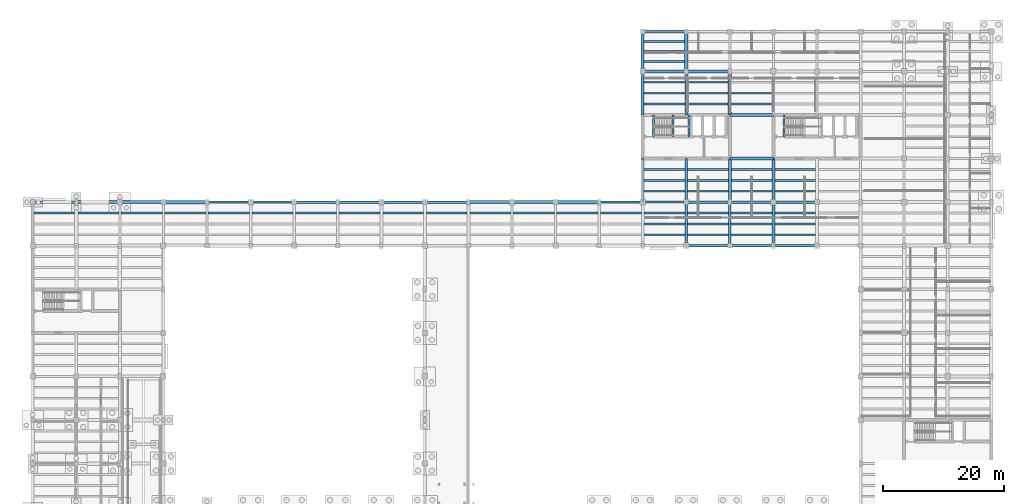
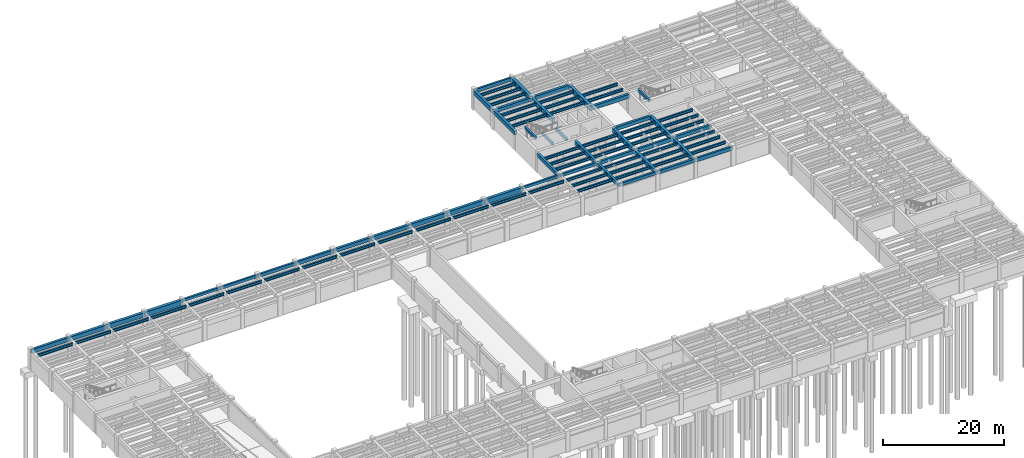
# One storey, part 11 of 33: 91 beams.
"""IFC4 building model written with IfcOpenShell, lengths in metres."""

from ifc_helpers import new_model, si_unit, direction, frame, origin, origin_2d, place, context, subcontext, project, spatial, rectangle, i_section, extrude, material, material_profile, profile_set, type_object, element, save


model = new_model("IFC4")

# Units and contexts
model_context = context("Model", 3, precision=1e-05, world=origin(), true_north=direction((0.0, 1.0)))
body_context = subcontext(model_context, "Body", "Model", "MODEL_VIEW")
ifc_project = project(units=[si_unit("LENGTHUNIT", "METRE"), si_unit("AREAUNIT", "SQUARE_METRE"), si_unit("VOLUMEUNIT", "CUBIC_METRE"), si_unit("PLANEANGLEUNIT", "RADIAN"), si_unit("MASSUNIT", "GRAM", prefix="KILO")], contexts=[model_context])

# Site, building, storey
site_placement = place(None, origin())
site = spatial("IfcSite", under=ifc_project, at=site_placement, CompositionType="ELEMENT")
building_placement = place(site_placement, origin())
building = spatial("IfcBuilding", under=site, at=building_placement, Name="Mithqara Police Headquarters", CompositionType="ELEMENT")
storey_placement = place(building_placement, frame((0.0, 0.0, -4.199951171875)))
storey = spatial("IfcBuildingStorey", under=building, at=storey_placement, Name="B1", CompositionType="ELEMENT", Elevation=-4.199951171875)

# Beams
ifc_material_1 = material(Name="Steel S355JR", Category="steel")
ifc_material_profile_1 = material_profile(ifc_material_1, i_section(OverallWidth=0.300048828125, OverallDepth=0.550048828125, WebThickness=0.014892578125, FlangeThickness=0.029052734375, FilletRadius=0.027099609375, at=origin_2d()), Name="HEB 550")
ifc_profile_set_1 = profile_set([ifc_material_profile_1], Name="Steel S355JR")
beam_type_1 = type_object("IfcBeamType", Name="BEAM HEB550", PredefinedType="BEAM", material=ifc_profile_set_1)
beam_1_placement = place(storey_placement, frame((8.050048828125, 84.0, 3.60498046875), z_axis=(1.0, 0.0, 0.0), x_axis=(0.0, 1.0, 0.0)))
element("IfcBeam", 1, at=beam_1_placement, inside=storey, type_object=beam_type_1, Name="B1 Composite Steel Joist 2-3/M.3", PredefinedType="BEAM", context=body_context, shape_type="SweptSolid", body=[
    extrude(i_section(OverallWidth=0.300048828125, OverallDepth=0.550048828125, WebThickness=0.014892578125, FlangeThickness=0.029052734375, FilletRadius=0.027099609375, at=origin_2d()), origin(), (0.0, 0.0, 1.0), 6.675048828125),
])
beam_2_placement = place(storey_placement, frame((15.27490234375, 84.0, 3.60498046875), z_axis=(1.0, 0.0, 0.0), x_axis=(0.0, 1.0, 0.0)))
element("IfcBeam", 2, at=beam_2_placement, inside=storey, type_object=beam_type_1, Name="B1 Composite Steel Joist 3-4/M.3", PredefinedType="BEAM", context=body_context, shape_type="SweptSolid", body=[
    extrude(i_section(OverallWidth=0.300048828125, OverallDepth=0.550048828125, WebThickness=0.014892578125, FlangeThickness=0.029052734375, FilletRadius=0.027099609375, at=origin_2d()), origin(), (0.0, 0.0, 1.0), 6.75),
])
beam_3_placement = place(storey_placement, frame((22.375, 84.0, 3.60498046875), z_axis=(1.0, 0.0, 0.0), x_axis=(0.0, 1.0, 0.0)))
element("IfcBeam", 3, at=beam_3_placement, inside=storey, type_object=beam_type_1, Name="B1 Composite Steel Joist 4-5/M.3", PredefinedType="BEAM", context=body_context, shape_type="SweptSolid", body=[
    extrude(i_section(OverallWidth=0.300048828125, OverallDepth=0.550048828125, WebThickness=0.014892578125, FlangeThickness=0.029052734375, FilletRadius=0.027099609375, at=origin_2d()), origin(), (0.0, 0.0, 1.0), 6.85009765625),
])
beam_4_placement = place(storey_placement, frame((29.574951171875, 84.0, 3.60498046875), z_axis=(1.0, 0.0, 0.0), x_axis=(0.0, 1.0, 0.0)))
element("IfcBeam", 4, at=beam_4_placement, inside=storey, type_object=beam_type_1, Name="B1 Composite Steel Joist 5-6/M.3", PredefinedType="BEAM", context=body_context, shape_type="SweptSolid", body=[
    extrude(i_section(OverallWidth=0.300048828125, OverallDepth=0.550048828125, WebThickness=0.014892578125, FlangeThickness=0.029052734375, FilletRadius=0.027099609375, at=origin_2d()), origin(), (0.0, 0.0, 1.0), 6.824951171875),
])
beam_5_placement = place(storey_placement, frame((36.800048828125, 84.0, 3.60498046875), z_axis=(1.0, 0.0, 0.0), x_axis=(0.0, 1.0, 0.0)))
element("IfcBeam", 5, at=beam_5_placement, inside=storey, type_object=beam_type_1, Name="B1 Composite Steel Joist 6-7/M.3", PredefinedType="BEAM", context=body_context, shape_type="SweptSolid", body=[
    extrude(i_section(OverallWidth=0.300048828125, OverallDepth=0.550048828125, WebThickness=0.014892578125, FlangeThickness=0.029052734375, FilletRadius=0.027099609375, at=origin_2d()), origin(), (0.0, 0.0, 1.0), 6.800048828125),
])
beam_6_placement = place(storey_placement, frame((44.0, 84.0, 3.60498046875), z_axis=(1.0, 0.0, 0.0), x_axis=(0.0, 1.0, 0.0)))
element("IfcBeam", 6, at=beam_6_placement, inside=storey, type_object=beam_type_1, Name="B1 Composite Steel Joist 7-8/M.3", PredefinedType="BEAM", context=body_context, shape_type="SweptSolid", body=[
    extrude(i_section(OverallWidth=0.300048828125, OverallDepth=0.550048828125, WebThickness=0.014892578125, FlangeThickness=0.029052734375, FilletRadius=0.027099609375, at=origin_2d()), origin(), (0.0, 0.0, 1.0), 6.77490234375),
])
beam_7_placement = place(storey_placement, frame((51.22509765625, 84.0, 3.60498046875), z_axis=(1.0, 0.0, 0.0), x_axis=(0.0, 1.0, 0.0)))
element("IfcBeam", 7, at=beam_7_placement, inside=storey, type_object=beam_type_1, Name="B1 Composite Steel Joist 8-9/M.3", PredefinedType="BEAM", context=body_context, shape_type="SweptSolid", body=[
    extrude(i_section(OverallWidth=0.300048828125, OverallDepth=0.550048828125, WebThickness=0.014892578125, FlangeThickness=0.029052734375, FilletRadius=0.027099609375, at=origin_2d()), origin(), (0.0, 0.0, 1.0), 6.75),
])
beam_8_placement = place(storey_placement, frame((58.425048828125, 84.0, 3.60498046875), z_axis=(1.0, 0.0, 0.0), x_axis=(0.0, 1.0, 0.0)))
element("IfcBeam", 8, at=beam_8_placement, inside=storey, type_object=beam_type_1, Name="B1 Composite Steel Joist 9-10/M.3", PredefinedType="BEAM", context=body_context, shape_type="SweptSolid", body=[
    extrude(i_section(OverallWidth=0.300048828125, OverallDepth=0.550048828125, WebThickness=0.014892578125, FlangeThickness=0.029052734375, FilletRadius=0.027099609375, at=origin_2d()), origin(), (0.0, 0.0, 1.0), 6.724853515625),
])
beam_9_placement = place(storey_placement, frame((65.64990234375, 84.0, 3.60498046875), z_axis=(1.0, 0.0, 0.0), x_axis=(0.0, 1.0, 0.0)))
element("IfcBeam", 9, at=beam_9_placement, inside=storey, type_object=beam_type_1, Name="B1 Composite Steel Joist 10-11/M.3", PredefinedType="BEAM", context=body_context, shape_type="SweptSolid", body=[
    extrude(i_section(OverallWidth=0.300048828125, OverallDepth=0.550048828125, WebThickness=0.014892578125, FlangeThickness=0.029052734375, FilletRadius=0.027099609375, at=origin_2d()), origin(), (0.0, 0.0, 1.0), 6.7001953125),
])
beam_10_placement = place(storey_placement, frame((72.85009765625, 84.0, 3.60498046875), z_axis=(1.0, 0.0, 0.0), x_axis=(0.0, 1.0, 0.0)))
element("IfcBeam", 10, at=beam_10_placement, inside=storey, type_object=beam_type_1, Name="B1 Composite Steel Joist 11-12/M.3", PredefinedType="BEAM", context=body_context, shape_type="SweptSolid", body=[
    extrude(i_section(OverallWidth=0.300048828125, OverallDepth=0.550048828125, WebThickness=0.014892578125, FlangeThickness=0.029052734375, FilletRadius=0.027099609375, at=origin_2d()), origin(), (0.0, 0.0, 1.0), 6.6748046875),
])
beam_11_placement = place(storey_placement, frame((80.074951171875, 84.0, 3.60498046875), z_axis=(1.0, 0.0, 0.0), x_axis=(0.0, 1.0, 0.0)))
element("IfcBeam", 11, at=beam_11_placement, inside=storey, type_object=beam_type_1, Name="B1 Composite Steel Joist 12-13/M.3", PredefinedType="BEAM", context=body_context, shape_type="SweptSolid", body=[
    extrude(i_section(OverallWidth=0.300048828125, OverallDepth=0.550048828125, WebThickness=0.014892578125, FlangeThickness=0.029052734375, FilletRadius=0.027099609375, at=origin_2d()), origin(), (0.0, 0.0, 1.0), 6.75),
])
beam_12_placement = place(storey_placement, frame((87.175048828125, 84.0, 3.60498046875), z_axis=(1.0, 0.0, 0.0), x_axis=(0.0, 1.0, 0.0)))
element("IfcBeam", 12, at=beam_12_placement, inside=storey, type_object=beam_type_1, Name="B1 Composite Steel Joist 13-14/M.3", PredefinedType="BEAM", context=body_context, shape_type="SweptSolid", body=[
    extrude(i_section(OverallWidth=0.300048828125, OverallDepth=0.550048828125, WebThickness=0.014892578125, FlangeThickness=0.029052734375, FilletRadius=0.027099609375, at=origin_2d()), origin(), (0.0, 0.0, 1.0), 6.849853515625),
])
beam_13_placement = place(storey_placement, frame((94.375, 84.0, 3.60498046875), z_axis=(1.0, 0.0, 0.0), x_axis=(0.0, 1.0, 0.0)))
element("IfcBeam", 13, at=beam_13_placement, inside=storey, type_object=beam_type_1, Name="B1 Composite Steel Joist 14-15/M.3", PredefinedType="BEAM", context=body_context, shape_type="SweptSolid", body=[
    extrude(i_section(OverallWidth=0.300048828125, OverallDepth=0.550048828125, WebThickness=0.014892578125, FlangeThickness=0.029052734375, FilletRadius=0.027099609375, at=origin_2d()), origin(), (0.0, 0.0, 1.0), 6.824951171875),
])
beam_14_placement = place(storey_placement, frame((101.60009765625, 84.0, 3.60498046875), z_axis=(1.0, 0.0, 0.0), x_axis=(0.0, 1.0, 0.0)))
element("IfcBeam", 14, at=beam_14_placement, inside=storey, type_object=beam_type_1, Name="B1 Composite Steel Joist 15-16/M.3", PredefinedType="BEAM", context=body_context, shape_type="SweptSolid", body=[
    extrude(i_section(OverallWidth=0.300048828125, OverallDepth=0.550048828125, WebThickness=0.014892578125, FlangeThickness=0.029052734375, FilletRadius=0.027099609375, at=origin_2d()), origin(), (0.0, 0.0, 1.0), 6.7998046875),
])
for number, where, z_axis, x_axis, name in (
    (15, (108.800048828125, 80.39990234375, 3.60498046875), (1.0, 0.0, 0.0), (0.0, 1.0, 0.0), "B1 Composite Steel Joist 16-17/M.1"),
    (16, (108.800048828125, 82.199951171875, 3.60498046875), (1.0, 0.0, 0.0), (0.0, 1.0, 0.0), "B1 Composite Steel Joist 16-17/M.2"),
    (17, (108.800048828125, 84.0, 3.60498046875), (1.0, 0.0, 0.0), (0.0, 1.0, 0.0), "B1 Composite Steel Joist 16-17/M.3"),
):
    element("IfcBeam", number, at=place(storey_placement, frame(where, z_axis=z_axis, x_axis=x_axis)), inside=storey, type_object=beam_type_1, Name=name, PredefinedType="BEAM", context=body_context, shape_type="SweptSolid", body=[
        extrude(i_section(OverallWidth=0.300048828125, OverallDepth=0.550048828125, WebThickness=0.014892578125, FlangeThickness=0.029052734375, FilletRadius=0.027099609375, at=origin_2d()), origin(), (0.0, 0.0, 1.0), 6.77490234375),
    ])
for number, where, z_axis, x_axis, name in (
    (18, (108.824951171875, 87.60009765625, 3.60498046875), (1.0, 0.0, 0.0), (0.0, 1.0, 0.0), "B1 Composite Steel Joist 16-17/N.1"),
    (19, (108.824951171875, 89.39990234375, 3.60498046875), (1.0, 0.0, 0.0), (0.0, 1.0, 0.0), "B1 Composite Steel Joist 16-17/N.2"),
    (20, (108.824951171875, 91.199951171875, 3.60498046875), (1.0, 0.0, 0.0), (0.0, 1.0, 0.0), "B1 Composite Steel Joist 16-17/N.3"),
):
    element("IfcBeam", number, at=place(storey_placement, frame(where, z_axis=z_axis, x_axis=x_axis)), inside=storey, type_object=beam_type_1, Name=name, PredefinedType="BEAM", context=body_context, shape_type="SweptSolid", body=[
        extrude(i_section(OverallWidth=0.300048828125, OverallDepth=0.550048828125, WebThickness=0.014892578125, FlangeThickness=0.029052734375, FilletRadius=0.027099609375, at=origin_2d()), origin(), (0.0, 0.0, 1.0), 6.75),
    ])
for number, where, z_axis, x_axis, name in (
    (21, (108.85009765625, 102.0, 3.60498046875), (1.0, 0.0, 0.0), (0.0, 1.0, 0.0), "B1 Composite Steel Joist 16-17/Q.1"),
    (22, (108.85009765625, 103.800048828125, 3.60498046875), (1.0, 0.0, 0.0), (0.0, 1.0, 0.0), "B1 Composite Steel Joist 16-17/Q.2"),
    (23, (108.85009765625, 105.60009765625, 3.60498046875), (1.0, 0.0, 0.0), (0.0, 1.0, 0.0), "B1 Composite Steel Joist 16-17/Q.3"),
):
    element("IfcBeam", number, at=place(storey_placement, frame(where, z_axis=z_axis, x_axis=x_axis)), inside=storey, type_object=beam_type_1, Name=name, PredefinedType="BEAM", context=body_context, shape_type="SweptSolid", body=[
        extrude(i_section(OverallWidth=0.300048828125, OverallDepth=0.550048828125, WebThickness=0.014892578125, FlangeThickness=0.029052734375, FilletRadius=0.027099609375, at=origin_2d()), origin(), (0.0, 0.0, 1.0), 6.699951171875),
    ])
for number, where, z_axis, x_axis, name in (
    (24, (108.85009765625, 109.050048828125, 3.60498046875), (1.0, 0.0, 0.0), (0.0, 1.0, 0.0), "B1 Composite Steel Joist 16-17/R.1"),
    (25, (108.85009765625, 110.699951171875, 3.60498046875), (1.0, 0.0, 0.0), (0.0, 1.0, 0.0), "B1 Composite Steel Joist 16-17/R.2"),
    (26, (108.85009765625, 112.35009765625, 3.60498046875), (1.0, 0.0, 0.0), (0.0, 1.0, 0.0), "B1 Composite Steel Joist 16-17/R.3"),
):
    element("IfcBeam", number, at=place(storey_placement, frame(where, z_axis=z_axis, x_axis=x_axis)), inside=storey, type_object=beam_type_1, Name=name, PredefinedType="BEAM", context=body_context, shape_type="SweptSolid", body=[
        extrude(i_section(OverallWidth=0.300048828125, OverallDepth=0.550048828125, WebThickness=0.014892578125, FlangeThickness=0.029052734375, FilletRadius=0.027099609375, at=origin_2d()), origin(), (0.0, 0.0, 1.0), 6.6748046875),
    ])
for number, where, z_axis, x_axis, name in (
    (27, (116.02490234375, 80.39990234375, 3.60498046875), (1.0, 0.0, 0.0), (0.0, 1.0, 0.0), "B1 Composite Steel Joist 17-18/M.1"),
    (28, (116.02490234375, 82.199951171875, 3.60498046875), (1.0, 0.0, 0.0), (0.0, 1.0, 0.0), "B1 Composite Steel Joist 17-18/M.2"),
    (29, (116.02490234375, 84.0, 3.60498046875), (1.0, 0.0, 0.0), (0.0, 1.0, 0.0), "B1 Composite Steel Joist 17-18/M.3"),
):
    element("IfcBeam", number, at=place(storey_placement, frame(where, z_axis=z_axis, x_axis=x_axis)), inside=storey, type_object=beam_type_1, Name=name, PredefinedType="BEAM", context=body_context, shape_type="SweptSolid", body=[
        extrude(i_section(OverallWidth=0.300048828125, OverallDepth=0.550048828125, WebThickness=0.014892578125, FlangeThickness=0.029052734375, FilletRadius=0.027099609375, at=origin_2d()), origin(), (0.0, 0.0, 1.0), 6.75),
    ])
for number, where, z_axis, x_axis, name in (
    (30, (116.02490234375, 87.60009765625, 3.60498046875), (1.0, 0.0, 0.0), (0.0, 1.0, 0.0), "B1 Composite Steel Joist 17-18/N.1"),
    (31, (116.02490234375, 89.39990234375, 3.60498046875), (1.0, 0.0, 0.0), (0.0, 1.0, 0.0), "B1 Composite Steel Joist 17-18/N.2"),
    (32, (116.02490234375, 91.199951171875, 3.60498046875), (1.0, 0.0, 0.0), (0.0, 1.0, 0.0), "B1 Composite Steel Joist 17-18/N.3"),
):
    element("IfcBeam", number, at=place(storey_placement, frame(where, z_axis=z_axis, x_axis=x_axis)), inside=storey, type_object=beam_type_1, Name=name, PredefinedType="BEAM", context=body_context, shape_type="SweptSolid", body=[
        extrude(i_section(OverallWidth=0.300048828125, OverallDepth=0.550048828125, WebThickness=0.014892578125, FlangeThickness=0.029052734375, FilletRadius=0.027099609375, at=origin_2d()), origin(), (0.0, 0.0, 1.0), 6.72509765625),
    ])
for number, where, z_axis, x_axis, name in (
    (33, (116.050048828125, 102.0, 3.60498046875), (1.0, 0.0, 0.0), (0.0, 1.0, 0.0), "B1 Composite Steel Joist 17-18/Q.1"),
    (34, (116.050048828125, 103.800048828125, 3.60498046875), (1.0, 0.0, 0.0), (0.0, 1.0, 0.0), "B1 Composite Steel Joist 17-18/Q.2"),
    (35, (116.050048828125, 105.60009765625, 3.60498046875), (1.0, 0.0, 0.0), (0.0, 1.0, 0.0), "B1 Composite Steel Joist 17-18/Q.3"),
):
    element("IfcBeam", number, at=place(storey_placement, frame(where, z_axis=z_axis, x_axis=x_axis)), inside=storey, type_object=beam_type_1, Name=name, PredefinedType="BEAM", context=body_context, shape_type="SweptSolid", body=[
        extrude(i_section(OverallWidth=0.300048828125, OverallDepth=0.550048828125, WebThickness=0.014892578125, FlangeThickness=0.029052734375, FilletRadius=0.027099609375, at=origin_2d()), origin(), (0.0, 0.0, 1.0), 6.675048828125),
    ])
for number, where, z_axis, x_axis, name in (
    (36, (123.22509765625, 80.39990234375, 3.60498046875), (1.0, 0.0, 0.0), (0.0, 1.0, 0.0), "B1 Composite Steel Joist 18-19/M.1"),
    (37, (123.22509765625, 82.199951171875, 3.60498046875), (1.0, 0.0, 0.0), (0.0, 1.0, 0.0), "B1 Composite Steel Joist 18-19/M.2"),
    (38, (123.22509765625, 84.0, 3.60498046875), (1.0, 0.0, 0.0), (0.0, 1.0, 0.0), "B1 Composite Steel Joist 18-19/M.3"),
):
    element("IfcBeam", number, at=place(storey_placement, frame(where, z_axis=z_axis, x_axis=x_axis)), inside=storey, type_object=beam_type_1, Name=name, PredefinedType="BEAM", context=body_context, shape_type="SweptSolid", body=[
        extrude(i_section(OverallWidth=0.300048828125, OverallDepth=0.550048828125, WebThickness=0.014892578125, FlangeThickness=0.029052734375, FilletRadius=0.027099609375, at=origin_2d()), origin(), (0.0, 0.0, 1.0), 6.724853515625),
    ])
for number, where, z_axis, x_axis, name in (
    (39, (123.25, 87.60009765625, 3.60498046875), (1.0, 0.0, 0.0), (0.0, 1.0, 0.0), "B1 Composite Steel Joist 18-19/N.1"),
    (40, (123.25, 89.39990234375, 3.60498046875), (1.0, 0.0, 0.0), (0.0, 1.0, 0.0), "B1 Composite Steel Joist 18-19/N.2"),
    (41, (123.25, 91.199951171875, 3.60498046875), (1.0, 0.0, 0.0), (0.0, 1.0, 0.0), "B1 Composite Steel Joist 18-19/N.3"),
):
    element("IfcBeam", number, at=place(storey_placement, frame(where, z_axis=z_axis, x_axis=x_axis)), inside=storey, type_object=beam_type_1, Name=name, PredefinedType="BEAM", context=body_context, shape_type="SweptSolid", body=[
        extrude(i_section(OverallWidth=0.300048828125, OverallDepth=0.550048828125, WebThickness=0.014892578125, FlangeThickness=0.029052734375, FilletRadius=0.027099609375, at=origin_2d()), origin(), (0.0, 0.0, 1.0), 6.699951171875),
    ])
for number, where, z_axis, x_axis, name in (
    (42, (123.27490234375, 102.0, 3.60498046875), (1.0, 0.0, 0.0), (0.0, 1.0, 0.0), "B1 Composite Steel Joist 18-19/Q.1"),
    (43, (123.27490234375, 103.800048828125, 3.60498046875), (1.0, 0.0, 0.0), (0.0, 1.0, 0.0), "B1 Composite Steel Joist 18-19/Q.2"),
):
    element("IfcBeam", number, at=place(storey_placement, frame(where, z_axis=z_axis, x_axis=x_axis)), inside=storey, type_object=beam_type_1, Name=name, PredefinedType="BEAM", context=body_context, shape_type="SweptSolid", body=[
        extrude(i_section(OverallWidth=0.300048828125, OverallDepth=0.550048828125, WebThickness=0.014892578125, FlangeThickness=0.029052734375, FilletRadius=0.027099609375, at=origin_2d()), origin(), (0.0, 0.0, 1.0), 6.75),
    ])
for number, where, z_axis, x_axis, name in (
    (44, (130.449951171875, 80.39990234375, 3.60498046875), (1.0, 0.0, 0.0), (0.0, 1.0, 0.0), "B1 Composite Steel Joist 19-20/M.1"),
    (45, (130.449951171875, 82.199951171875, 3.60498046875), (1.0, 0.0, 0.0), (0.0, 1.0, 0.0), "B1 Composite Steel Joist 19-20/M.2"),
    (46, (130.449951171875, 84.0, 3.60498046875), (1.0, 0.0, 0.0), (0.0, 1.0, 0.0), "B1 Composite Steel Joist 19-20/M.3"),
):
    element("IfcBeam", number, at=place(storey_placement, frame(where, z_axis=z_axis, x_axis=x_axis)), inside=storey, type_object=beam_type_1, Name=name, PredefinedType="BEAM", context=body_context, shape_type="SweptSolid", body=[
        extrude(i_section(OverallWidth=0.300048828125, OverallDepth=0.550048828125, WebThickness=0.014892578125, FlangeThickness=0.029052734375, FilletRadius=0.027099609375, at=origin_2d()), origin(), (0.0, 0.0, 1.0), 6.699951171875),
    ])
for number, where, z_axis, x_axis, name in (
    (47, (130.449951171875, 87.60009765625, 3.60498046875), (1.0, 0.0, 0.0), (0.0, 1.0, 0.0), "B1 Composite Steel Joist 19-20/N.1"),
    (48, (130.449951171875, 89.39990234375, 3.60498046875), (1.0, 0.0, 0.0), (0.0, 1.0, 0.0), "B1 Composite Steel Joist 19-20/N.2"),
    (49, (130.449951171875, 91.199951171875, 3.60498046875), (1.0, 0.0, 0.0), (0.0, 1.0, 0.0), "B1 Composite Steel Joist 19-20/N.3"),
):
    element("IfcBeam", number, at=place(storey_placement, frame(where, z_axis=z_axis, x_axis=x_axis)), inside=storey, type_object=beam_type_1, Name=name, PredefinedType="BEAM", context=body_context, shape_type="SweptSolid", body=[
        extrude(i_section(OverallWidth=0.300048828125, OverallDepth=0.550048828125, WebThickness=0.014892578125, FlangeThickness=0.029052734375, FilletRadius=0.027099609375, at=origin_2d()), origin(), (0.0, 0.0, 1.0), 6.675048828125),
    ])
ifc_material_2 = material(Name="Concrete C40/50", Category="concrete")
ifc_material_profile_2 = material_profile(ifc_material_2, rectangle(XDim=0.35009765625, YDim=0.550048828125, at=origin_2d()), Name="RC 350x550")
ifc_profile_set_2 = profile_set([ifc_material_profile_2], Name="Concrete C40/50")
beam_type_2 = type_object("IfcBeamType", Name="BEAM RC350X550", PredefinedType="BEAM", material=ifc_profile_set_2)
beam_15_placement = place(storey_placement, frame((36.60009765625, 85.800048828125, 3.60498046875), z_axis=(1.0, 0.0, 0.0), x_axis=(0.0, 1.0, 0.0)))
element("IfcBeam", 50, at=beam_15_placement, inside=storey, type_object=beam_type_2, Name="B1 Girder 6-7/N", PredefinedType="BEAM", context=body_context, shape_type="SweptSolid", body=[
    extrude(rectangle(XDim=0.35009765625, YDim=0.550048828125, at=origin_2d()), origin(), (0.0, 0.0, 1.0), 7.199951171875),
])
beam_16_placement = place(storey_placement, frame((101.39990234375, 85.800048828125, 3.60498046875), z_axis=(1.0, 0.0, 0.0), x_axis=(0.0, 1.0, 0.0)))
element("IfcBeam", 51, at=beam_16_placement, inside=storey, type_object=beam_type_2, Name="B1 Girder 15-16/N", PredefinedType="BEAM", context=body_context, shape_type="SweptSolid", body=[
    extrude(rectangle(XDim=0.35009765625, YDim=0.550048828125, at=origin_2d()), origin(), (0.0, 0.0, 1.0), 7.2001953125),
])
for number, where, z_axis, x_axis, name in (
    (52, (113.6298828125, 96.6201171875, 1.635009765625), (0.0, 1.0, 0.0), (-1.0, 0.0, 0.0), "B1 ST-01 Half-Landing Bearer LF"),
    (53, (116.25, 96.6201171875, 1.635009765625), (0.0, 1.0, 0.0), (-1.0, 0.0, 0.0), "B1 ST-01 Half-Landing Bearer LB"),
    (54, (110.376953125, 96.6201171875, 3.925048828125), (0.0, 1.0, 0.0), (-1.0, 0.0, 0.0), "B1 ST-01 Stairwell Trimmer Beam"),
    (55, (131.97705078125, 96.6201171875, 3.925048828125), (0.0, 1.0, 0.0), (-1.0, 0.0, 0.0), "B1 ST-02 Stairwell Trimmer Beam"),
):
    element("IfcBeam", number, at=place(storey_placement, frame(where, z_axis=z_axis, x_axis=x_axis)), inside=storey, type_object=beam_type_2, Name=name, PredefinedType="BEAM", context=body_context, shape_type="SweptSolid", body=[
        extrude(rectangle(XDim=0.35009765625, YDim=0.550048828125, at=origin_2d()), origin(), (0.0, 0.0, 1.0), 3.579833984375),
    ])
ifc_material_profile_3 = material_profile(ifc_material_2, rectangle(XDim=0.35009765625, YDim=0.60009765625, at=origin_2d()), Name="RC 350x600")
ifc_profile_set_3 = profile_set([ifc_material_profile_3], Name="Concrete C40/50")
beam_type_3 = type_object("IfcBeamType", Name="BEAM RC350X600", PredefinedType="BEAM", material=ifc_profile_set_3)
for number, where, z_axis, x_axis, name in (
    (56, (43.800048828125, 85.800048828125, 3.579833984375), (1.0, 0.0, 0.0), (0.0, 1.0, 0.0), "B1 Girder 7-8/N"),
    (57, (108.60009765625, 85.800048828125, 3.579833984375), (1.0, 0.0, 0.0), (0.0, 1.0, 0.0), "B1 Girder 16-17/N"),
    (58, (115.800048828125, 78.60009765625, 3.579833984375), (1.0, 0.0, 0.0), (0.0, 1.0, 0.0), "B1 Girder 17-18/M"),
):
    element("IfcBeam", number, at=place(storey_placement, frame(where, z_axis=z_axis, x_axis=x_axis)), inside=storey, type_object=beam_type_3, Name=name, PredefinedType="BEAM", context=body_context, shape_type="SweptSolid", body=[
        extrude(rectangle(XDim=0.35009765625, YDim=0.60009765625, at=origin_2d()), origin(), (0.0, 0.0, 1.0), 7.199951171875),
    ])
ifc_material_profile_4 = material_profile(ifc_material_2, rectangle(XDim=0.39990234375, YDim=0.64990234375, at=origin_2d()), Name="RC 400x650")
ifc_profile_set_4 = profile_set([ifc_material_profile_4], Name="Concrete C40/50")
beam_type_4 = type_object("IfcBeamType", Name="BEAM RC400X650", PredefinedType="BEAM", material=ifc_profile_set_4)
for number, where, z_axis, x_axis, name in (
    (59, (51.0, 85.800048828125, 3.554931640625), (1.0, 0.0, 0.0), (0.0, 1.0, 0.0), "B1 Girder 8-9/N"),
    (60, (115.800048828125, 85.800048828125, 3.554931640625), (1.0, 0.0, 0.0), (0.0, 1.0, 0.0), "B1 Girder 17-18/N"),
    (61, (123.0, 78.60009765625, 3.554931640625), (1.0, 0.0, 0.0), (0.0, 1.0, 0.0), "B1 Girder 18-19/M"),
):
    element("IfcBeam", number, at=place(storey_placement, frame(where, z_axis=z_axis, x_axis=x_axis)), inside=storey, type_object=beam_type_4, Name=name, PredefinedType="BEAM", context=body_context, shape_type="SweptSolid", body=[
        extrude(rectangle(XDim=0.39990234375, YDim=0.64990234375, at=origin_2d()), origin(), (0.0, 0.0, 1.0), 7.199951171875),
    ])
ifc_material_profile_5 = material_profile(ifc_material_2, rectangle(XDim=0.39990234375, YDim=0.75, at=origin_2d()), Name="RC 400x750")
ifc_profile_set_5 = profile_set([ifc_material_profile_5], Name="Concrete C40/50")
beam_type_5 = type_object("IfcBeamType", Name="BEAM RC400X750", PredefinedType="BEAM", material=ifc_profile_set_5)
for number, where, z_axis, x_axis, name in (
    (62, (58.199951171875, 85.800048828125, 3.5048828125), (1.0, 0.0, 0.0), (0.0, 1.0, 0.0), "B1 Girder 9-10/N"),
    (63, (123.0, 85.800048828125, 3.5048828125), (1.0, 0.0, 0.0), (0.0, 1.0, 0.0), "B1 Girder 18-19/N"),
    (64, (130.199951171875, 78.60009765625, 3.5048828125), (1.0, 0.0, 0.0), (0.0, 1.0, 0.0), "B1 Girder 19-20/M"),
):
    element("IfcBeam", number, at=place(storey_placement, frame(where, z_axis=z_axis, x_axis=x_axis)), inside=storey, type_object=beam_type_5, Name=name, PredefinedType="BEAM", context=body_context, shape_type="SweptSolid", body=[
        extrude(rectangle(XDim=0.39990234375, YDim=0.75, at=origin_2d()), origin(), (0.0, 0.0, 1.0), 7.199951171875),
    ])
ifc_material_profile_6 = material_profile(ifc_material_2, rectangle(XDim=0.449951171875, YDim=0.699951171875, at=origin_2d()), Name="RC 450x700")
ifc_profile_set_6 = profile_set([ifc_material_profile_6], Name="Concrete C40/50")
beam_type_6 = type_object("IfcBeamType", Name="BEAM RC450X700", PredefinedType="BEAM", material=ifc_profile_set_6)
beam_17_placement = place(storey_placement, frame((65.39990234375, 85.800048828125, 3.530029296875), z_axis=(1.0, 0.0, 0.0), x_axis=(0.0, 1.0, 0.0)))
element("IfcBeam", 65, at=beam_17_placement, inside=storey, type_object=beam_type_6, Name="B1 Girder 10-11/N", PredefinedType="BEAM", context=body_context, shape_type="SweptSolid", body=[
    extrude(rectangle(XDim=0.449951171875, YDim=0.699951171875, at=origin_2d()), origin(), (0.0, 0.0, 1.0), 7.2001953125),
])
for number, where, z_axis, x_axis, name in (
    (66, (108.60009765625, 85.800048828125, 3.530029296875), (0.0, 1.0, 0.0), (-1.0, 0.0, 0.0), "B1 Girder 16/N-P"),
    (67, (108.60009765625, 107.39990234375, 3.530029296875), (1.0, 0.0, 0.0), (0.0, 1.0, 0.0), "B1 Girder 16-17/R"),
    (68, (115.800048828125, 78.60009765625, 3.530029296875), (0.0, 1.0, 0.0), (-1.0, 0.0, 0.0), "B1 Girder 17/M-N"),
    (69, (123.0, 93.0, 3.530029296875), (1.0, 0.0, 0.0), (0.0, 1.0, 0.0), "B1 Girder 18-19/P"),
    (70, (130.199951171875, 85.800048828125, 3.530029296875), (1.0, 0.0, 0.0), (0.0, 1.0, 0.0), "B1 Girder 19-20/N"),
):
    element("IfcBeam", number, at=place(storey_placement, frame(where, z_axis=z_axis, x_axis=x_axis)), inside=storey, type_object=beam_type_6, Name=name, PredefinedType="BEAM", context=body_context, shape_type="SweptSolid", body=[
        extrude(rectangle(XDim=0.449951171875, YDim=0.699951171875, at=origin_2d()), origin(), (0.0, 0.0, 1.0), 7.199951171875),
    ])
ifc_material_profile_7 = material_profile(ifc_material_2, rectangle(XDim=0.449951171875, YDim=0.800048828125, at=origin_2d()), Name="RC 450x800")
ifc_profile_set_7 = profile_set([ifc_material_profile_7], Name="Concrete C40/50")
beam_type_7 = type_object("IfcBeamType", Name="BEAM RC450X800", PredefinedType="BEAM", material=ifc_profile_set_7)
for number, where, z_axis, x_axis, name in (
    (71, (7.800048828125, 85.800048828125, 3.47998046875), (1.0, 0.0, 0.0), (0.0, 1.0, 0.0), "B1 Girder 2-3/N"),
    (72, (72.60009765625, 85.800048828125, 3.47998046875), (1.0, 0.0, 0.0), (0.0, 1.0, 0.0), "B1 Girder 11-12/N"),
    (73, (115.800048828125, 85.800048828125, 3.47998046875), (0.0, 1.0, 0.0), (-1.0, 0.0, 0.0), "B1 Girder 17/N-P"),
    (74, (115.800048828125, 107.39990234375, 3.47998046875), (1.0, 0.0, 0.0), (0.0, 1.0, 0.0), "B1 Girder 17-18/R"),
    (75, (123.0, 78.60009765625, 3.47998046875), (0.0, 1.0, 0.0), (-1.0, 0.0, 0.0), "B1 Girder 18/M-N"),
    (76, (123.0, 100.199951171875, 3.47998046875), (1.0, 0.0, 0.0), (0.0, 1.0, 0.0), "B1 Girder 18-19/Q"),
):
    element("IfcBeam", number, at=place(storey_placement, frame(where, z_axis=z_axis, x_axis=x_axis)), inside=storey, type_object=beam_type_7, Name=name, PredefinedType="BEAM", context=body_context, shape_type="SweptSolid", body=[
        extrude(rectangle(XDim=0.449951171875, YDim=0.800048828125, at=origin_2d()), origin(), (0.0, 0.0, 1.0), 7.199951171875),
    ])
ifc_material_profile_8 = material_profile(ifc_material_2, rectangle(XDim=0.5, YDim=0.85009765625, at=origin_2d()), Name="RC 500x850")
ifc_profile_set_8 = profile_set([ifc_material_profile_8], Name="Concrete C40/50")
beam_type_8 = type_object("IfcBeamType", Name="BEAM RC500X850", PredefinedType="BEAM", material=ifc_profile_set_8)
for number, where, z_axis, x_axis, name in (
    (77, (15.0, 85.800048828125, 3.454833984375), (1.0, 0.0, 0.0), (0.0, 1.0, 0.0), "B1 Girder 3-4/N"),
    (78, (79.800048828125, 85.800048828125, 3.454833984375), (1.0, 0.0, 0.0), (0.0, 1.0, 0.0), "B1 Girder 12-13/N"),
    (79, (108.60009765625, 100.199951171875, 3.454833984375), (0.0, 1.0, 0.0), (-1.0, 0.0, 0.0), "B1 Girder 16/Q-R"),
    (80, (123.0, 85.800048828125, 3.454833984375), (0.0, 1.0, 0.0), (-1.0, 0.0, 0.0), "B1 Girder 18/N-P"),
    (81, (130.199951171875, 78.60009765625, 3.454833984375), (0.0, 1.0, 0.0), (-1.0, 0.0, 0.0), "B1 Girder 19/M-N"),
):
    element("IfcBeam", number, at=place(storey_placement, frame(where, z_axis=z_axis, x_axis=x_axis)), inside=storey, type_object=beam_type_8, Name=name, PredefinedType="BEAM", context=body_context, shape_type="SweptSolid", body=[
        extrude(rectangle(XDim=0.5, YDim=0.85009765625, at=origin_2d()), origin(), (0.0, 0.0, 1.0), 7.199951171875),
    ])
ifc_material_3 = material(Name="Concrete C50/60", Category="concrete")
ifc_material_profile_9 = material_profile(ifc_material_3, rectangle(XDim=0.5, YDim=0.89990234375, at=origin_2d()), Name="RC 500x900")
ifc_profile_set_9 = profile_set([ifc_material_profile_9], Name="Concrete C50/60")
beam_type_9 = type_object("IfcBeamType", Name="BEAM RC500X900", PredefinedType="BEAM", material=ifc_profile_set_9)
for number, where, z_axis, x_axis, name in (
    (82, (22.199951171875, 85.800048828125, 3.429931640625), (1.0, 0.0, 0.0), (0.0, 1.0, 0.0), "B1 Girder 4-5/N"),
    (83, (87.0, 85.800048828125, 3.429931640625), (1.0, 0.0, 0.0), (0.0, 1.0, 0.0), "B1 Girder 13-14/N"),
):
    element("IfcBeam", number, at=place(storey_placement, frame(where, z_axis=z_axis, x_axis=x_axis)), inside=storey, type_object=beam_type_9, Name=name, PredefinedType="BEAM", context=body_context, shape_type="SweptSolid", body=[
        extrude(rectangle(XDim=0.5, YDim=0.89990234375, at=origin_2d()), origin(), (0.0, 0.0, 1.0), 7.199951171875),
    ])
beam_18_placement = place(storey_placement, frame((108.60009765625, 107.39990234375, 3.429931640625), z_axis=(0.0, 1.0, 0.0), x_axis=(-1.0, 0.0, 0.0)))
element("IfcBeam", 84, at=beam_18_placement, inside=storey, type_object=beam_type_9, Name="B1 Girder 16/R-S", PredefinedType="BEAM", context=body_context, shape_type="SweptSolid", body=[
    extrude(rectangle(XDim=0.5, YDim=0.89990234375, at=origin_2d()), origin(), (0.0, 0.0, 1.0), 6.60009765625),
])
for number, where, z_axis, x_axis, name in (
    (85, (115.800048828125, 100.199951171875, 3.429931640625), (0.0, 1.0, 0.0), (-1.0, 0.0, 0.0), "B1 Girder 17/Q-R"),
    (86, (130.199951171875, 85.800048828125, 3.429931640625), (0.0, 1.0, 0.0), (-1.0, 0.0, 0.0), "B1 Girder 19/N-P"),
):
    element("IfcBeam", number, at=place(storey_placement, frame(where, z_axis=z_axis, x_axis=x_axis)), inside=storey, type_object=beam_type_9, Name=name, PredefinedType="BEAM", context=body_context, shape_type="SweptSolid", body=[
        extrude(rectangle(XDim=0.5, YDim=0.89990234375, at=origin_2d()), origin(), (0.0, 0.0, 1.0), 7.199951171875),
    ])
ifc_material_profile_10 = material_profile(ifc_material_3, rectangle(XDim=0.550048828125, YDim=1.0, at=origin_2d()), Name="RC 550x1000")
ifc_profile_set_10 = profile_set([ifc_material_profile_10], Name="Concrete C50/60")
beam_type_10 = type_object("IfcBeamType", Name="BEAM RC550X1000", PredefinedType="BEAM", material=ifc_profile_set_10)
beam_19_placement = place(storey_placement, frame((29.39990234375, 85.800048828125, 3.3798828125), z_axis=(1.0, 0.0, 0.0), x_axis=(0.0, 1.0, 0.0)))
element("IfcBeam", 87, at=beam_19_placement, inside=storey, type_object=beam_type_10, Name="B1 Girder 5-6/N", PredefinedType="BEAM", context=body_context, shape_type="SweptSolid", body=[
    extrude(rectangle(XDim=0.550048828125, YDim=1.0, at=origin_2d()), origin(), (0.0, 0.0, 1.0), 7.2001953125),
])
beam_20_placement = place(storey_placement, frame((94.199951171875, 85.800048828125, 3.3798828125), z_axis=(1.0, 0.0, 0.0), x_axis=(0.0, 1.0, 0.0)))
element("IfcBeam", 88, at=beam_20_placement, inside=storey, type_object=beam_type_10, Name="B1 Girder 14-15/N", PredefinedType="BEAM", context=body_context, shape_type="SweptSolid", body=[
    extrude(rectangle(XDim=0.550048828125, YDim=1.0, at=origin_2d()), origin(), (0.0, 0.0, 1.0), 7.199951171875),
])
beam_21_placement = place(storey_placement, frame((115.800048828125, 107.39990234375, 3.3798828125), z_axis=(0.0, 1.0, 0.0), x_axis=(-1.0, 0.0, 0.0)))
element("IfcBeam", 89, at=beam_21_placement, inside=storey, type_object=beam_type_10, Name="B1 Girder 17/R-S", PredefinedType="BEAM", context=body_context, shape_type="SweptSolid", body=[
    extrude(rectangle(XDim=0.550048828125, YDim=1.0, at=origin_2d()), origin(), (0.0, 0.0, 1.0), 6.60009765625),
])
beam_22_placement = place(storey_placement, frame((123.0, 100.199951171875, 3.3798828125), z_axis=(0.0, 1.0, 0.0), x_axis=(-1.0, 0.0, 0.0)))
element("IfcBeam", 90, at=beam_22_placement, inside=storey, type_object=beam_type_10, Name="B1 Girder 18/Q-R", PredefinedType="BEAM", context=body_context, shape_type="SweptSolid", body=[
    extrude(rectangle(XDim=0.550048828125, YDim=1.0, at=origin_2d()), origin(), (0.0, 0.0, 1.0), 7.199951171875),
])
ifc_material_profile_11 = material_profile(ifc_material_2, rectangle(XDim=0.35009765625, YDim=0.699951171875, at=origin_2d()), Name="SPB 350x700")
ifc_profile_set_11 = profile_set([ifc_material_profile_11], Name="Concrete C40/50")
beam_type_11 = type_object("IfcBeamType", Name="SPANDREL 350X700", PredefinedType="SPANDREL", material=ifc_profile_set_11)
beam_23_placement = place(storey_placement, frame((108.60009765625, 114.0, 3.530029296875), z_axis=(1.0, 0.0, 0.0), x_axis=(0.0, 1.0, 0.0)))
element("IfcBeam", 91, at=beam_23_placement, inside=storey, type_object=beam_type_11, Name="B1 Girder 16-17/S", PredefinedType="SPANDREL", context=body_context, shape_type="SweptSolid", body=[
    extrude(rectangle(XDim=0.35009765625, YDim=0.699951171875, at=origin_2d()), origin(), (0.0, 0.0, 1.0), 7.199951171875),
])

save(model, "model.ifc")
